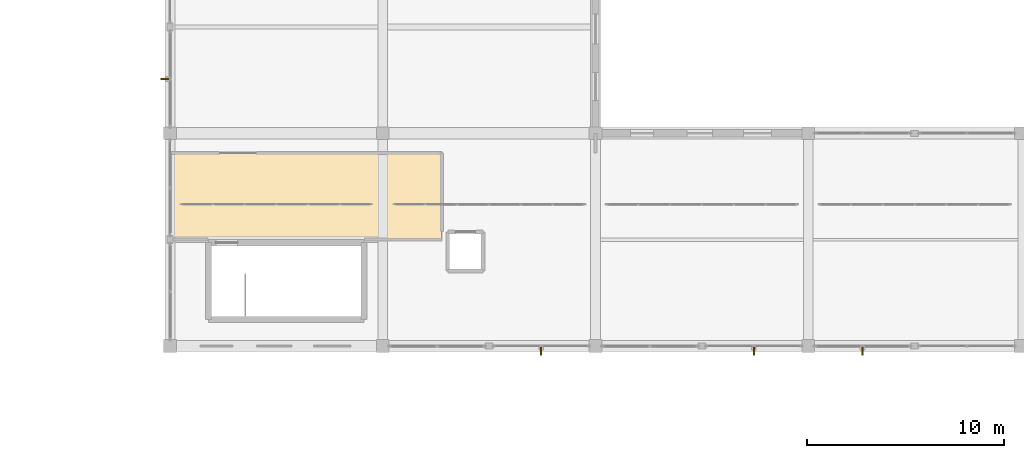
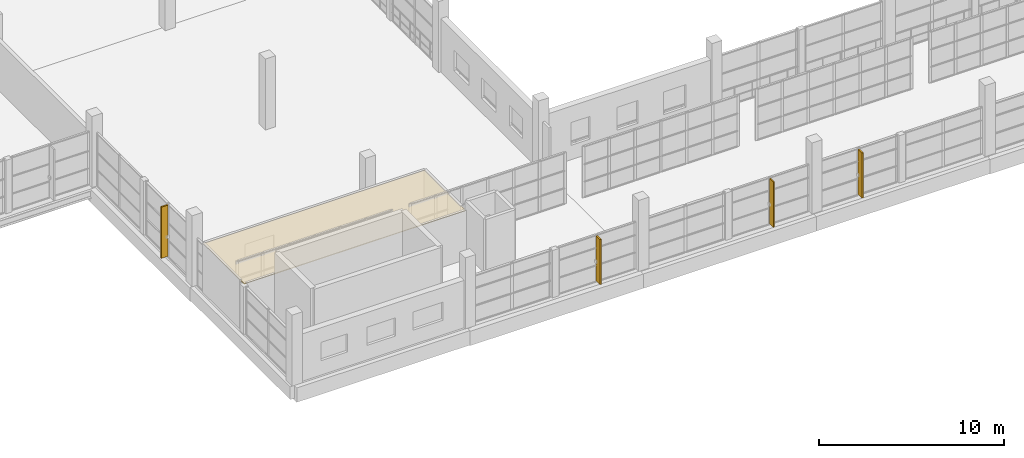
# One storey, part 131 of 142: 4 shading devices, 1 covering.
"""IFC4 building model written with IfcOpenShell, lengths in metres."""

from ifc_helpers import new_model, si_unit, direction, frame, origin, origin_2d, place, context, subcontext, project, spatial, polyline, rectangle, outline, extrude, material, layer, layer_set, type_object, element, save


model = new_model("IFC4")

# Units and contexts
model_context = context("Model", 3, precision=1e-05, world=origin(), true_north=direction((0.0, 1.0)))
body_context = subcontext(model_context, "Body", "Model", "MODEL_VIEW")
ifc_project = project(units=[si_unit("LENGTHUNIT", "METRE"), si_unit("AREAUNIT", "SQUARE_METRE"), si_unit("VOLUMEUNIT", "CUBIC_METRE"), si_unit("PLANEANGLEUNIT", "RADIAN"), si_unit("MASSUNIT", "GRAM", prefix="KILO")], contexts=[model_context])

# Site, building, storey
site_placement = place(None, origin())
site = spatial("IfcSite", under=ifc_project, at=site_placement, CompositionType="ELEMENT")
building_placement = place(site_placement, origin())
building = spatial("IfcBuilding", under=site, at=building_placement, Name="Zwinboog Wholesale Market", CompositionType="ELEMENT")
storey_placement = place(building_placement, frame((0.0, 0.0, 5.39990234375)))
storey = spatial("IfcBuildingStorey", under=building, at=storey_placement, Name="L01", CompositionType="ELEMENT", Elevation=5.39990234375)

# Shading devices
ifc_material_1 = material(Name="Western red cedar timber", Category="wood")
shading_device_type = type_object("IfcShadingDeviceType", Name="SHD-FIN-CEDAR", PredefinedType="USERDEFINED", material=ifc_material_1)
shading_device_placement = place(storey_placement, frame((64.530029296875, 56.760009765625, 0.080078125), z_axis=(0.0, 0.0, 1.0), x_axis=(1.0, 0.0, 0.0)))
element("IfcShadingDevice", 1, at=shading_device_placement, inside=storey, type_object=shading_device_type, Name="FN-01 (SHD-FIN-028)", ObjectType="FIN", PredefinedType="USERDEFINED", context=body_context, shape_type="SweptSolid", body=[
    extrude(rectangle(XDim=0.419921875, YDim=0.0849609375, at=origin_2d()), origin(), (0.0, 0.0, 1.0), 3.3798828125),
])
for number, where, z_axis, x_axis, name in (
    (2, (83.639892578125, 42.945068359375, 0.080078125), (0.0, 0.0, 1.0), (0.0, 1.0, 0.0), "FN-01 (SHD-FIN-029)"),
    (3, (94.43994140625, 42.945068359375, 0.080078125), (0.0, 0.0, 1.0), (0.0, 1.0, 0.0), "FN-01 (SHD-FIN-031)"),
    (4, (99.9599609375, 42.929931640625, 0.080078125), (0.0, 0.0, 1.0), (0.0, 1.0, 0.0), "FN-01 (SHD-FIN-032)"),
):
    element("IfcShadingDevice", number, at=place(storey_placement, frame(where, z_axis=z_axis, x_axis=x_axis)), inside=storey, type_object=shading_device_type, Name=name, ObjectType="FIN", PredefinedType="USERDEFINED", context=body_context, shape_type="SweptSolid", body=[
        extrude(rectangle(XDim=0.419921875, YDim=0.0849609375, at=origin_2d()), origin(), (0.0, 0.0, 1.0), 2.969970703125),
    ])

# Covering
ifc_material_2 = material(Name="Hygienic washable acoustic gypsum ceiling")
ifc_layer = layer(ifc_material_2, 0.050048828125)
ifc_layer_set = layer_set([ifc_layer], Name="Hygienic washable acoustic gypsum ceiling")
covering_type = type_object("IfcCoveringType", Name="COV-CEIL-HYG", PredefinedType="CEILING", material=ifc_layer_set)
covering_placement = place(storey_placement, frame((0.0, 0.0, 3.130126953125)))
element("IfcCovering", 5, at=covering_placement, inside=storey, type_object=covering_type, Name="CL-02 (COV-CL-L01-022)", PredefinedType="CEILING", context=body_context, shape_type="SweptSolid", body=[
    extrude(outline(polyline([(64.800048828125, 48.60009765625), (78.60009765625, 48.60009765625), (78.60009765625, 53.0), (64.800048828125, 53.0), (64.800048828125, 48.60009765625)])), origin(), (0.0, 0.0, 1.0), 0.050048828125),
])

save(model, "model.ifc")
